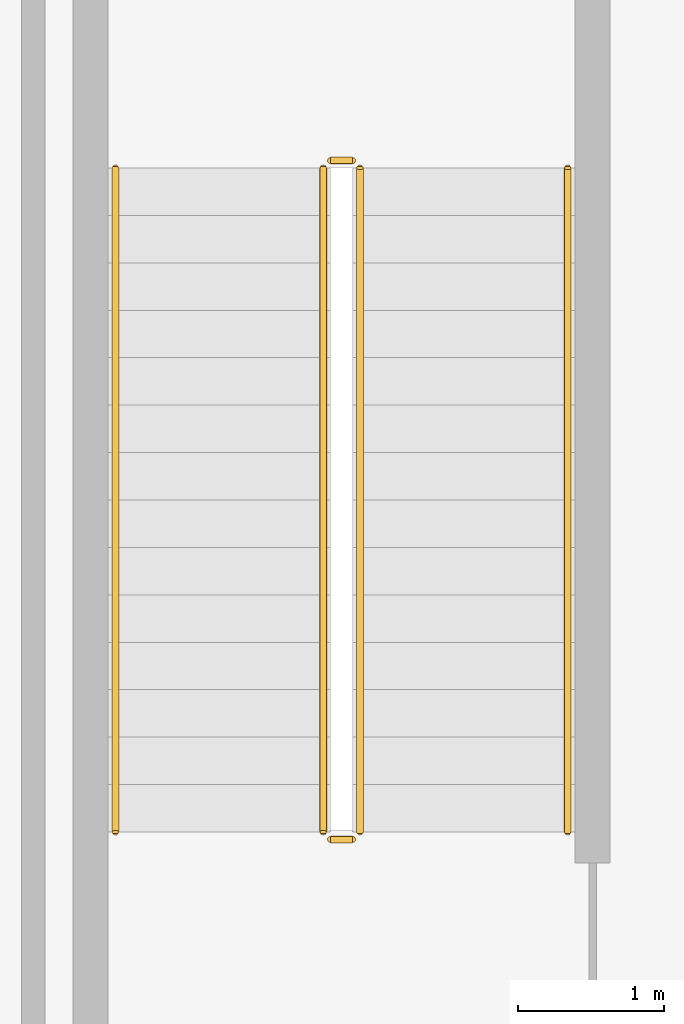
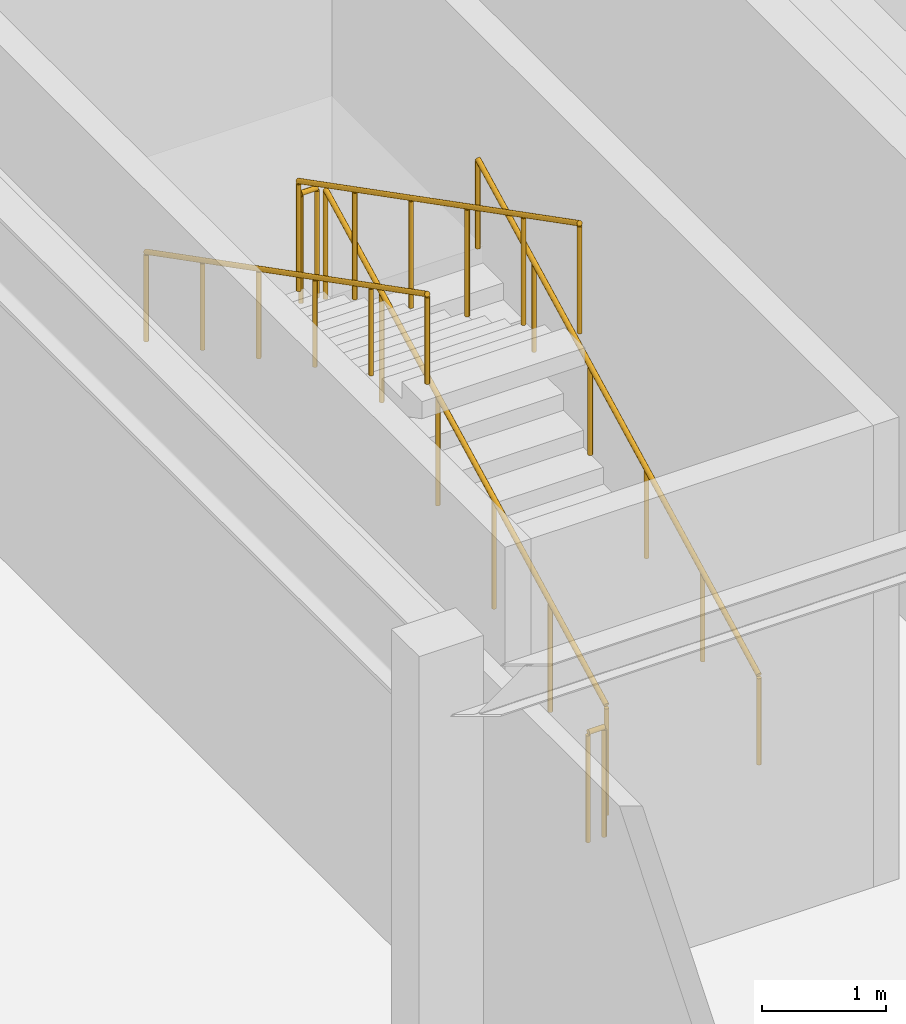
# One storey, part 8 of 12: 6 railings.
"""IFC4 building model written with IfcOpenShell, lengths in metres."""

from ifc_helpers import new_model, si_unit, direction, frame, origin, origin_2d, place, context, subcontext, project, spatial, circle, extrude, material, type_object, element, save


model = new_model("IFC4")

# Units and contexts
model_context = context("Model", 3, precision=1e-05, world=origin(), true_north=direction((0.0, 1.0)))
body_context = subcontext(model_context, "Body", "Model", "MODEL_VIEW")
ifc_project = project(units=[si_unit("LENGTHUNIT", "METRE"), si_unit("AREAUNIT", "SQUARE_METRE"), si_unit("VOLUMEUNIT", "CUBIC_METRE"), si_unit("PLANEANGLEUNIT", "RADIAN"), si_unit("MASSUNIT", "GRAM", prefix="KILO")], contexts=[model_context])

# Site, building, storey
site_placement = place(None, origin())
site = spatial("IfcSite", under=ifc_project, at=site_placement, CompositionType="ELEMENT")
building_placement = place(site_placement, origin())
building = spatial("IfcBuilding", under=site, at=building_placement, Name="Kolvaren Arena Tower", CompositionType="ELEMENT")
storey_placement = place(building_placement, frame((0.0, 0.0, -5.0)))
storey = spatial("IfcBuildingStorey", under=building, at=storey_placement, Name="B01", CompositionType="ELEMENT", Elevation=-5.0)

# Railings
ifc_material_1 = material(Name="Painted galvanized steel", Category="steel")
railing_type_1 = type_object("IfcRailingType", Name="GUARD-ST-110", PredefinedType="GUARDRAIL", material=ifc_material_1)
railing_1_placement = place(storey_placement, frame((10.530029296875, 23.02001953125, 0.166748046875)))
element("IfcRailing", 1, at=railing_1_placement, inside=storey, type_object=railing_type_1, Name="B01 ST-B1 stair guard 1", PredefinedType="GUARDRAIL", context=body_context, shape_type="SweptSolid", body=[
    extrude(circle(Radius=0.02392578125, at=origin_2d()), frame((0.0, 0.0, 1.076171875), z_axis=(0.0, 0.889247197123, 0.45742695855), x_axis=(-1.0, 0.0, 0.0)), (0.0, 0.0, 1.0), 5.100830078125),
    extrude(circle(Radius=0.02099609375, at=origin_2d()), origin(), (0.0, 0.0, 1.0), 1.052001953125),
    extrude(circle(Radius=0.02099609375, at=origin_2d()), frame((0.0, 0.9072265625, 0.466552734375)), (0.0, 0.0, 1.0), 1.052001953125),
    extrude(circle(Radius=0.02099609375, at=origin_2d()), frame((0.0, 1.814453125, 0.933349609375)), (0.0, 0.0, 1.0), 1.052001953125),
    extrude(circle(Radius=0.02099609375, at=origin_2d()), frame((0.0, 2.721435546875, 1.39990234375)), (0.0, 0.0, 1.0), 1.052001953125),
    extrude(circle(Radius=0.02099609375, at=origin_2d()), frame((0.0, 3.628662109375, 1.86669921875)), (0.0, 0.0, 1.0), 1.052001953125),
    extrude(circle(Radius=0.02099609375, at=origin_2d()), frame((0.0, 4.535888671875, 2.333251953125)), (0.0, 0.0, 1.0), 1.052001953125),
])
railing_2_placement = place(storey_placement, frame((10.47998046875, 27.60595703125, 2.5)))
element("IfcRailing", 2, at=railing_2_placement, inside=storey, type_object=railing_type_1, Name="B01 ST-B1 stair guard 2", PredefinedType="GUARDRAIL", context=body_context, shape_type="SweptSolid", body=[
    extrude(circle(Radius=0.02392578125, at=origin_2d()), frame((0.0, 0.0, 1.076171875), z_axis=(-1.0, 0.0, 0.0), x_axis=(0.0, -1.0, 0.0)), (0.0, 0.0, 1.0), 0.14990234375),
    extrude(circle(Radius=0.02099609375, at=origin_2d()), origin(), (0.0, 0.0, 1.0), 1.052001953125),
    extrude(circle(Radius=0.02099609375, at=origin_2d()), frame((-0.14990234375, 0.0, 0.0)), (0.0, 0.0, 1.0), 1.052001953125),
])
railing_3_placement = place(storey_placement, frame((10.280029296875, 27.555908203125, 2.666748046875)))
element("IfcRailing", 3, at=railing_3_placement, inside=storey, type_object=railing_type_1, Name="B01 ST-B1 stair guard 3", PredefinedType="GUARDRAIL", context=body_context, shape_type="SweptSolid", body=[
    extrude(circle(Radius=0.02392578125, at=origin_2d()), frame((0.0, 0.0, 1.076171875), z_axis=(0.0, -0.889247197123, 0.45742695855), x_axis=(1.0, 0.0, 0.0)), (0.0, 0.0, 1.0), 5.100830078125),
    extrude(circle(Radius=0.02099609375, at=origin_2d()), origin(), (0.0, 0.0, 1.0), 1.052001953125),
    extrude(circle(Radius=0.02099609375, at=origin_2d()), frame((0.0, -0.9072265625, 0.466552734375)), (0.0, 0.0, 1.0), 1.052001953125),
    extrude(circle(Radius=0.02099609375, at=origin_2d()), frame((0.0, -1.814453125, 0.933349609375)), (0.0, 0.0, 1.0), 1.052001953125),
    extrude(circle(Radius=0.02099609375, at=origin_2d()), frame((0.0, -2.721435546875, 1.39990234375)), (0.0, 0.0, 1.0), 1.052001953125),
    extrude(circle(Radius=0.02099609375, at=origin_2d()), frame((0.0, -3.628662109375, 1.86669921875)), (0.0, 0.0, 1.0), 1.052001953125),
    extrude(circle(Radius=0.02099609375, at=origin_2d()), frame((0.0, -4.535888671875, 2.333251953125)), (0.0, 0.0, 1.0), 1.052001953125),
])
railing_4_placement = place(storey_placement, frame((10.47998046875, 22.969970703125, 0.0)))
element("IfcRailing", 4, at=railing_4_placement, inside=storey, type_object=railing_type_1, Name="B01 ST-B1 stair guard 4", PredefinedType="GUARDRAIL", context=body_context, shape_type="SweptSolid", body=[
    extrude(circle(Radius=0.02392578125, at=origin_2d()), frame((0.0, 0.0, 1.076171875), z_axis=(-1.0, 0.0, 0.0), x_axis=(0.0, -1.0, 0.0)), (0.0, 0.0, 1.0), 0.14990234375),
    extrude(circle(Radius=0.02099609375, at=origin_2d()), origin(), (0.0, 0.0, 1.0), 1.052001953125),
    extrude(circle(Radius=0.02099609375, at=origin_2d()), frame((-0.14990234375, 0.0, 0.0)), (0.0, 0.0, 1.0), 1.052001953125),
])
ifc_material_2 = material(Name="Brushed stainless steel handrail", Category="steel")
railing_type_2 = type_object("IfcRailingType", Name="HRAIL-900", PredefinedType="HANDRAIL", material=ifc_material_2)
railing_5_placement = place(storey_placement, frame((11.949951171875, 23.02001953125, 0.166748046875)))
element("IfcRailing", 5, at=railing_5_placement, inside=storey, type_object=railing_type_2, Name="B01 ST-B1 stair handrail 1", PredefinedType="HANDRAIL", context=body_context, shape_type="SweptSolid", body=[
    extrude(circle(Radius=0.02392578125, at=origin_2d()), frame((0.0, 0.0, 0.8759765625), z_axis=(0.0, 0.889247197123, 0.45742695855), x_axis=(-1.0, 0.0, 0.0)), (0.0, 0.0, 1.0), 5.100830078125),
    extrude(circle(Radius=0.02099609375, at=origin_2d()), origin(), (0.0, 0.0, 1.0), 0.851806640625),
    extrude(circle(Radius=0.02099609375, at=origin_2d()), frame((0.0, 0.9072265625, 0.466552734375)), (0.0, 0.0, 1.0), 0.851806640625),
    extrude(circle(Radius=0.02099609375, at=origin_2d()), frame((0.0, 1.814453125, 0.933349609375)), (0.0, 0.0, 1.0), 0.851806640625),
    extrude(circle(Radius=0.02099609375, at=origin_2d()), frame((0.0, 2.721435546875, 1.39990234375)), (0.0, 0.0, 1.0), 0.851806640625),
    extrude(circle(Radius=0.02099609375, at=origin_2d()), frame((0.0, 3.628662109375, 1.86669921875)), (0.0, 0.0, 1.0), 0.851806640625),
    extrude(circle(Radius=0.02099609375, at=origin_2d()), frame((0.0, 4.535888671875, 2.333251953125)), (0.0, 0.0, 1.0), 0.851806640625),
])
railing_6_placement = place(storey_placement, frame((8.860107421875, 27.555908203125, 2.666748046875)))
element("IfcRailing", 6, at=railing_6_placement, inside=storey, type_object=railing_type_2, Name="B01 ST-B1 stair handrail 2", PredefinedType="HANDRAIL", context=body_context, shape_type="SweptSolid", body=[
    extrude(circle(Radius=0.02392578125, at=origin_2d()), frame((0.0, 0.0, 0.8759765625), z_axis=(0.0, -0.889247197123, 0.45742695855), x_axis=(1.0, 0.0, 0.0)), (0.0, 0.0, 1.0), 5.100830078125),
    extrude(circle(Radius=0.02099609375, at=origin_2d()), origin(), (0.0, 0.0, 1.0), 0.851806640625),
    extrude(circle(Radius=0.02099609375, at=origin_2d()), frame((0.0, -0.9072265625, 0.466552734375)), (0.0, 0.0, 1.0), 0.851806640625),
    extrude(circle(Radius=0.02099609375, at=origin_2d()), frame((0.0, -1.814453125, 0.933349609375)), (0.0, 0.0, 1.0), 0.851806640625),
    extrude(circle(Radius=0.02099609375, at=origin_2d()), frame((0.0, -2.721435546875, 1.39990234375)), (0.0, 0.0, 1.0), 0.851806640625),
    extrude(circle(Radius=0.02099609375, at=origin_2d()), frame((0.0, -3.628662109375, 1.86669921875)), (0.0, 0.0, 1.0), 0.851806640625),
    extrude(circle(Radius=0.02099609375, at=origin_2d()), frame((0.0, -4.535888671875, 2.333251953125)), (0.0, 0.0, 1.0), 0.851806640625),
])

save(model, "model.ifc")
